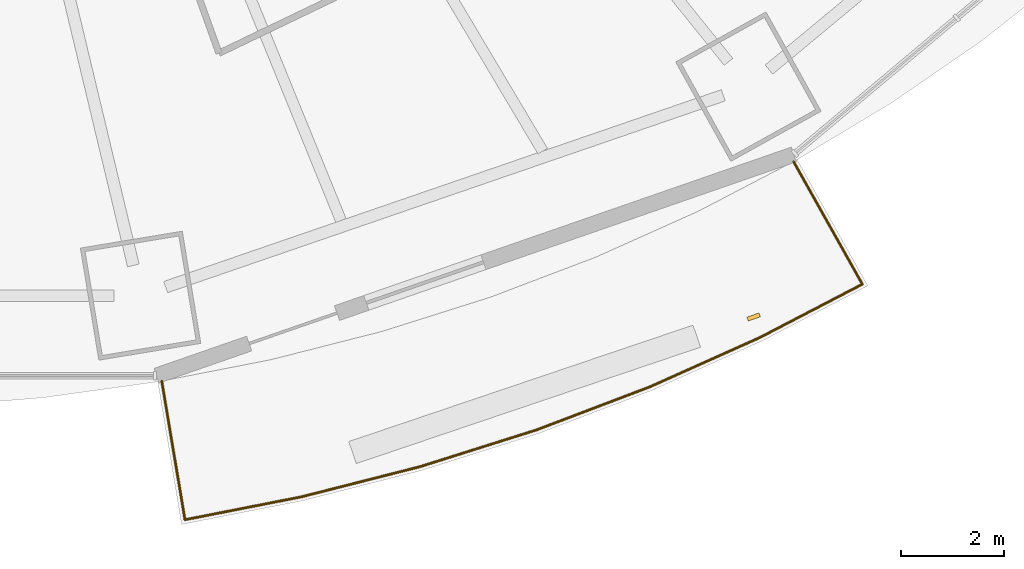
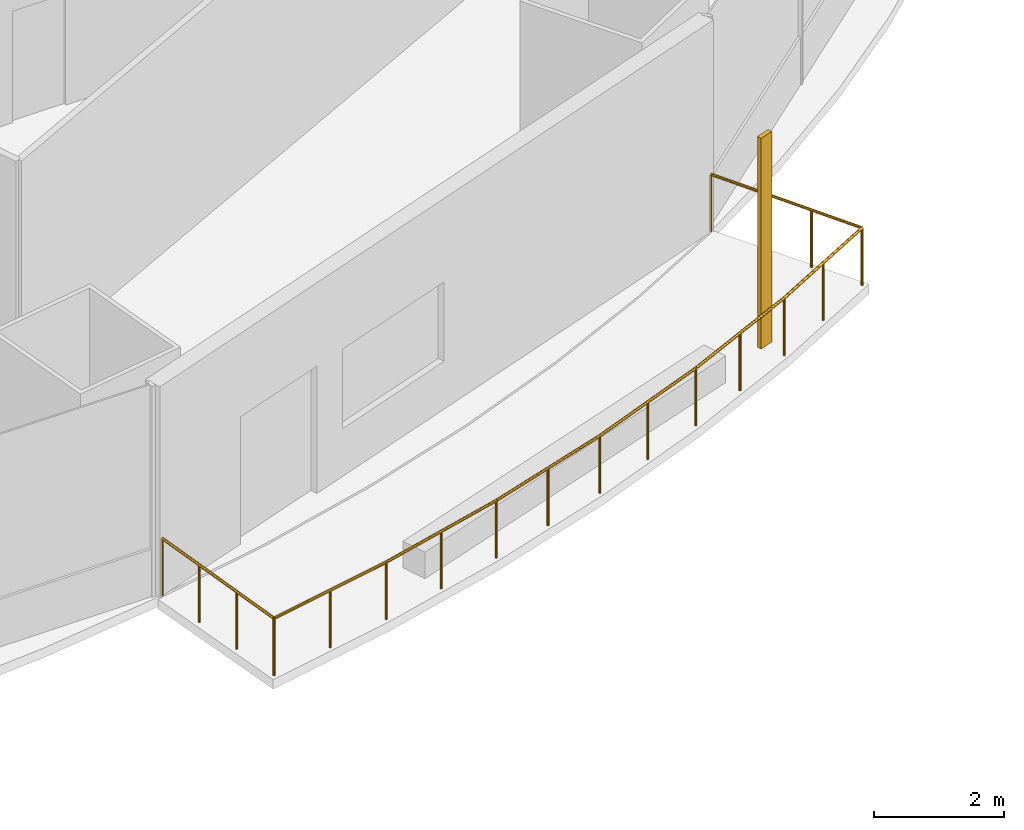
# One storey, part 18 of 22: 1 railing, 1 shading device.
"""IFC4 building model written with IfcOpenShell, lengths in metres."""

from ifc_helpers import new_model, si_unit, direction, frame, origin, origin_2d, place, context, subcontext, project, spatial, rectangle, circle, extrude, material, material_profile, profile_set, type_object, element, save


model = new_model("IFC4")

# Units and contexts
model_context = context("Model", 3, precision=1e-05, world=origin(), true_north=direction((0.0, 1.0)))
body_context = subcontext(model_context, "Body", "Model", "MODEL_VIEW")
ifc_project = project(units=[si_unit("LENGTHUNIT", "METRE"), si_unit("AREAUNIT", "SQUARE_METRE"), si_unit("VOLUMEUNIT", "CUBIC_METRE"), si_unit("PLANEANGLEUNIT", "RADIAN"), si_unit("MASSUNIT", "GRAM", prefix="KILO")], contexts=[model_context])

# Site, building, storey
site_placement = place(None, origin())
site = spatial("IfcSite", under=ifc_project, at=site_placement, CompositionType="ELEMENT")
building_placement = place(site_placement, origin())
building = spatial("IfcBuilding", under=site, at=building_placement, Name="Marenthal Gate Tower", CompositionType="ELEMENT")
storey_placement = place(building_placement, frame((0.0, 0.0, 111.85009765625)))
storey = spatial("IfcBuildingStorey", under=building, at=storey_placement, Name="L23", CompositionType="ELEMENT", Elevation=111.85009765625)

# Railing
ifc_material_1 = material(Name="Stainless steel", Category="steel")
railing_type = type_object("IfcRailingType", Name="Balcony guard 1100", PredefinedType="GUARDRAIL", material=ifc_material_1)
railing_placement = place(storey_placement, frame((19.01171875, -23.9921875, 0.0)))
element("IfcRailing", 1, at=railing_placement, inside=storey, type_object=railing_type, Name="Balcony guard L23 bay 13", PredefinedType="GUARDRAIL", context=body_context, shape_type="SweptSolid", body=[
    extrude(circle(Radius=0.02392578125, at=origin_2d()), frame((0.0, 0.0, 1.076171875), z_axis=(0.489197979897, -0.87204857286, -0.014718119373), x_axis=(0.872143041114, 0.489250974283, 0.0)), (0.0, 0.0, 1.0), 2.720458984375),
    extrude(circle(Radius=0.02392578125, at=origin_2d()), frame((1.330810546875, -2.372314453125, 1.0361328125), z_axis=(-0.887125590865, -0.461528098855, 0.0), x_axis=(0.461528098855, -0.887125590865, 0.0)), (0.0, 0.0, 1.0), 2.235595703125),
    extrude(circle(Radius=0.02392578125, at=origin_2d()), frame((-0.65234375, -3.404052734375, 1.0361328125), z_axis=(-0.912494502903, -0.409088966083, 0.0), x_axis=(0.409088966083, -0.912494502903, 0.0)), (0.0, 0.0, 1.0), 2.332275390625),
    extrude(circle(Radius=0.02392578125, at=origin_2d()), frame((-2.780517578125, -4.358154296875, 1.0361328125), z_axis=(-0.934764240257, -0.35526865206, 0.0), x_axis=(0.35526865206, -0.934764240257, 0.0)), (0.0, 0.0, 1.0), 2.347412109375),
    extrude(circle(Radius=0.02392578125, at=origin_2d()), frame((-4.974853515625, -5.192138671875, 1.0361328125), z_axis=(-0.953609232067, -0.30104722639, 0.0), x_axis=(0.30104722639, -0.953609232067, 0.0)), (0.0, 0.0, 1.0), 2.36083984375),
    extrude(circle(Radius=0.02392578125, at=origin_2d()), frame((-7.22607421875, -5.90283203125, 1.0361328125), z_axis=(-0.969104776695, -0.246649410675, 0.0), x_axis=(0.246649410675, -0.969104776695, 0.0)), (0.0, 0.0, 1.0), 2.37255859375),
    extrude(circle(Radius=0.02392578125, at=origin_2d()), frame((-9.525390625, -6.488037109375, 1.0361328125), z_axis=(-0.981215853429, -0.192913060677, 0.0), x_axis=(0.192913060677, -0.981215853429, 0.0)), (0.0, 0.0, 1.0), 2.302001953125),
    extrude(circle(Radius=0.02392578125, at=origin_2d()), frame((-11.7841796875, -6.93212890625, 1.0361328125), z_axis=(-0.164686797849, 0.986236088047, 0.014718602097), x_axis=(-0.986342933143, -0.164704639396, 0.0)), (0.0, 0.0, 1.0), 2.72021484375),
    extrude(circle(Radius=0.02099609375, at=origin_2d()), origin(), (0.0, 0.0, 1.0), 1.052001953125),
    extrude(circle(Radius=0.02099609375, at=origin_2d()), frame((0.443603515625, -0.790771484375, -0.013427734375)), (0.0, 0.0, 1.0), 1.052001953125),
    extrude(circle(Radius=0.02099609375, at=origin_2d()), frame((0.88720703125, -1.58154296875, -0.026611328125)), (0.0, 0.0, 1.0), 1.052001953125),
    extrude(circle(Radius=0.02099609375, at=origin_2d()), frame((1.330810546875, -2.372314453125, -0.0400390625)), (0.0, 0.0, 1.0), 1.052001953125),
    extrude(circle(Radius=0.02099609375, at=origin_2d()), frame((0.33935546875, -2.88818359375, -0.0400390625)), (0.0, 0.0, 1.0), 1.052001953125),
    extrude(circle(Radius=0.02099609375, at=origin_2d()), frame((-0.65234375, -3.404052734375, -0.0400390625)), (0.0, 0.0, 1.0), 1.052001953125),
    extrude(circle(Radius=0.02099609375, at=origin_2d()), frame((-1.71630859375, -3.881103515625, -0.0400390625)), (0.0, 0.0, 1.0), 1.052001953125),
    extrude(circle(Radius=0.02099609375, at=origin_2d()), frame((-2.780517578125, -4.358154296875, -0.0400390625)), (0.0, 0.0, 1.0), 1.052001953125),
    extrude(circle(Radius=0.02099609375, at=origin_2d()), frame((-3.877685546875, -4.775146484375, -0.0400390625)), (0.0, 0.0, 1.0), 1.052001953125),
    extrude(circle(Radius=0.02099609375, at=origin_2d()), frame((-4.974853515625, -5.192138671875, -0.0400390625)), (0.0, 0.0, 1.0), 1.052001953125),
    extrude(circle(Radius=0.02099609375, at=origin_2d()), frame((-6.1005859375, -5.54736328125, -0.0400390625)), (0.0, 0.0, 1.0), 1.052001953125),
    extrude(circle(Radius=0.02099609375, at=origin_2d()), frame((-7.22607421875, -5.90283203125, -0.0400390625)), (0.0, 0.0, 1.0), 1.052001953125),
    extrude(circle(Radius=0.02099609375, at=origin_2d()), frame((-8.375732421875, -6.1953125, -0.0400390625)), (0.0, 0.0, 1.0), 1.052001953125),
    extrude(circle(Radius=0.02099609375, at=origin_2d()), frame((-9.525390625, -6.488037109375, -0.0400390625)), (0.0, 0.0, 1.0), 1.052001953125),
    extrude(circle(Radius=0.02099609375, at=origin_2d()), frame((-10.65478515625, -6.7099609375, -0.0400390625)), (0.0, 0.0, 1.0), 1.052001953125),
    extrude(circle(Radius=0.02099609375, at=origin_2d()), frame((-11.7841796875, -6.93212890625, -0.0400390625)), (0.0, 0.0, 1.0), 1.052001953125),
    extrude(circle(Radius=0.02099609375, at=origin_2d()), frame((-11.93359375, -6.037841796875, -0.026611328125)), (0.0, 0.0, 1.0), 1.052001953125),
    extrude(circle(Radius=0.02099609375, at=origin_2d()), frame((-12.082763671875, -5.1435546875, -0.013427734375)), (0.0, 0.0, 1.0), 1.052001953125),
    extrude(circle(Radius=0.02099609375, at=origin_2d()), frame((-12.232177734375, -4.249267578125, 0.0)), (0.0, 0.0, 1.0), 1.052001953125),
])

# Shading device
ifc_material_2 = material(Name="Terracotta", Category="masonry")
ifc_material_profile = material_profile(ifc_material_2, rectangle(XDim=0.25, YDim=0.080078125, at=origin_2d()), Name="Terracotta baguette 250x80")
ifc_profile_set = profile_set([ifc_material_profile], Name="Terracotta")
shading_device_type = type_object("IfcShadingDeviceType", Name="Terracotta BAGUETTE SCREEN 250x80", PredefinedType="USERDEFINED", material=ifc_profile_set)
shading_device_placement = place(storey_placement, frame((18.238037109375, -26.999267578125, -0.0400390625), z_axis=(0.0, 0.0, 1.0), x_axis=(0.94459732274, 0.328231469959, 0.0)))
element("IfcShadingDevice", 2, at=shading_device_placement, inside=storey, type_object=shading_device_type, Name="Terracotta BAGUETTE L23 bay 13R", ObjectType="BAGUETTE SCREEN", PredefinedType="USERDEFINED", context=body_context, shape_type="SweptSolid", body=[
    extrude(rectangle(XDim=0.25, YDim=0.080078125, at=origin_2d()), origin(), (0.0, 0.0, 1.0), 3.969970703125),
])

save(model, "model.ifc")
